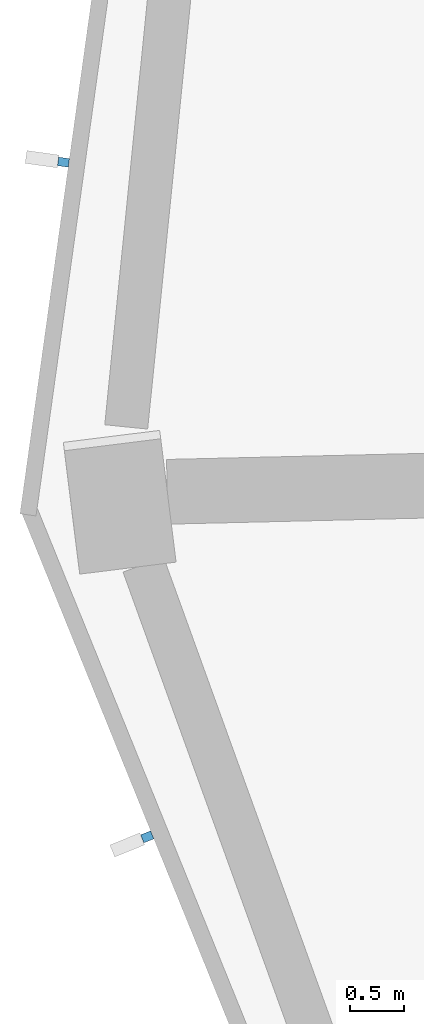
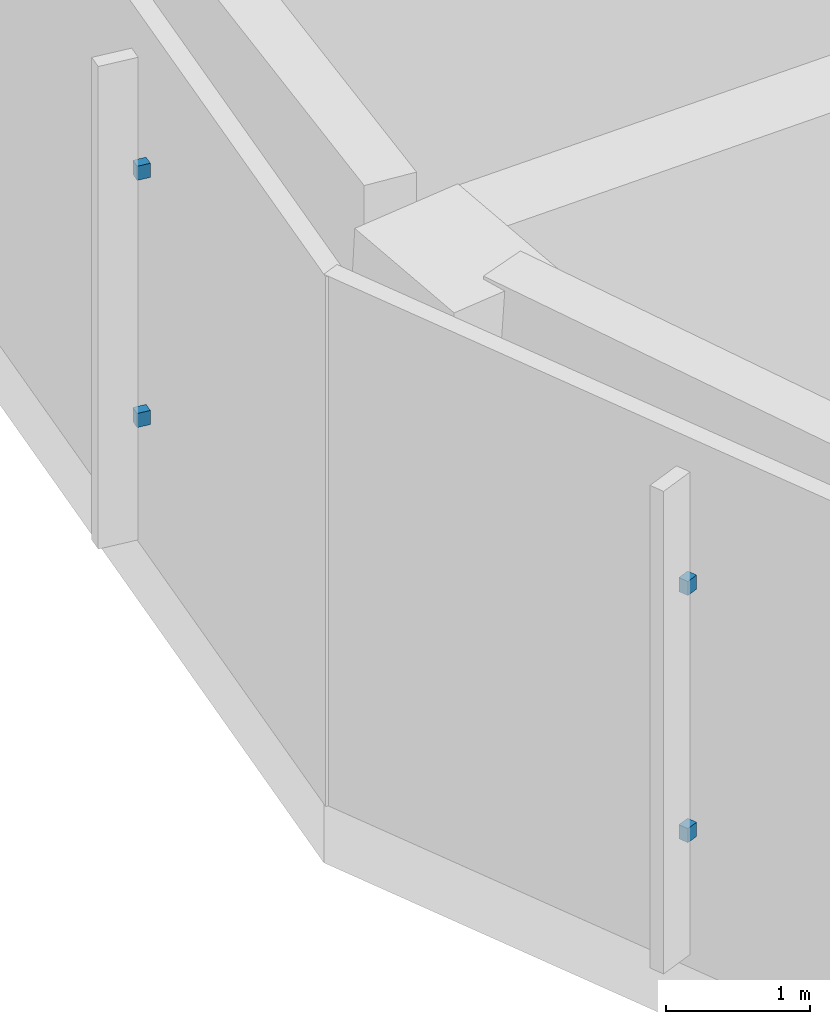
# One storey, part 8 of 17: 4 discrete accessories.
"""IFC4 building model written with IfcOpenShell, lengths in metres."""

from ifc_helpers import new_model, si_unit, direction, frame, origin, origin_2d, place, context, subcontext, project, spatial, rectangle, extrude, element, save


model = new_model("IFC4")

# Units and contexts
model_context = context("Model", 3, precision=1e-05, world=origin(), true_north=direction((0.0, 1.0)))
body_context = subcontext(model_context, "Body", "Model", "MODEL_VIEW")
ifc_project = project(units=[si_unit("LENGTHUNIT", "METRE"), si_unit("AREAUNIT", "SQUARE_METRE"), si_unit("VOLUMEUNIT", "CUBIC_METRE"), si_unit("PLANEANGLEUNIT", "RADIAN"), si_unit("MASSUNIT", "GRAM", prefix="KILO")], contexts=[model_context])

# Site, building, storey
site_placement = place(None, origin())
site = spatial("IfcSite", under=ifc_project, at=site_placement, CompositionType="ELEMENT")
building_placement = place(site_placement, origin())
building = spatial("IfcBuilding", under=site, at=building_placement, Name="Verdalira Terraces Hotel", CompositionType="ELEMENT")
storey_placement = place(building_placement, frame((0.0, 0.0, 122.0)))
storey = spatial("IfcBuildingStorey", under=building, at=storey_placement, Name="L29", CompositionType="ELEMENT", Elevation=122.0)

# Discrete accessories
for number, where, z_axis, x_axis, name in (
    (1, (-24.52417, 0.130371, 1.139893), (0.0, 0.0, 1.0), (-0.137790291, -0.990461426, 0.0), "Fin bracket"),
    (2, (-24.52417, 0.130371, 3.23999), (0.0, 0.0, 1.0), (-0.137790291, -0.990461426, 0.0), "Fin bracket"),
    (3, (-23.747314, -6.125977, 1.139893), (0.0, 0.0, 1.0), (0.375900821, -0.926659901, 0.0), "Fin bracket"),
    (4, (-23.747314, -6.125977, 3.23999), (0.0, 0.0, 1.0), (0.375900821, -0.926659901, 0.0), "Fin bracket"),
):
    element("IfcDiscreteAccessory", number, at=place(storey_placement, frame(where, z_axis=z_axis, x_axis=x_axis)), inside=storey, Name=name, PredefinedType="BRACKET", context=body_context, shape_type="SweptSolid", body=[
        extrude(rectangle(XDim=0.080078, YDim=0.100098, at=origin_2d()), origin(), (0.0, 0.0, 1.0), 0.120117),
    ])

save(model, "model.ifc")
